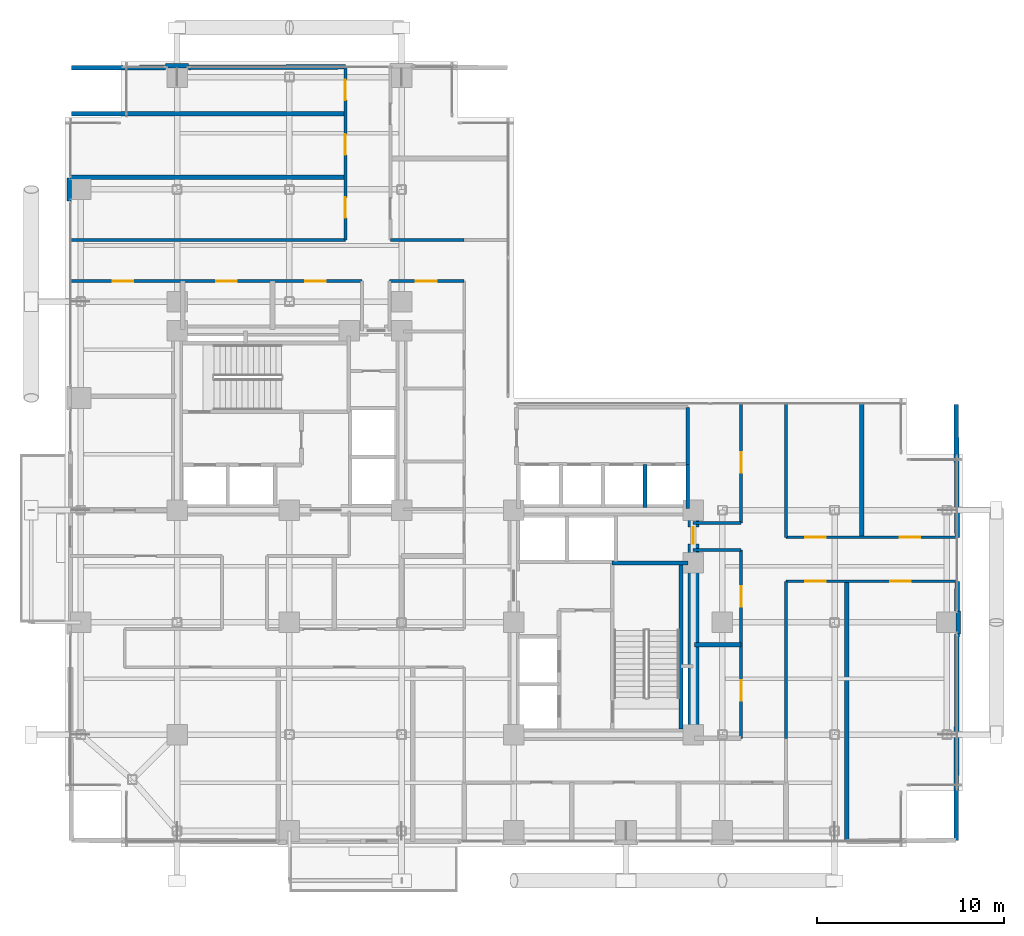
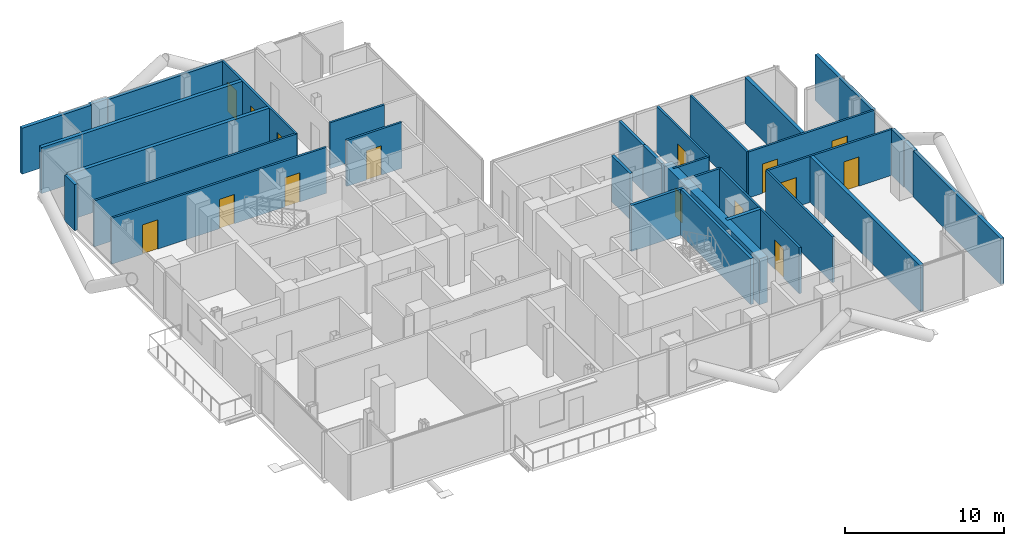
# One storey, part 21 of 24: 32 walls, 15 doors, 15 openings.
"""IFC4 building model written with IfcOpenShell, lengths in metres."""

from ifc_helpers import new_model, si_unit, direction, frame, frame_2d, origin, place, context, subcontext, project, spatial, rectangle, extrude, material, layer, layer_set, type_object, element, fill, save


model = new_model("IFC4")

# Units and contexts
model_context = context("Model", 3, precision=1e-05, world=origin(), true_north=direction((0.0, 1.0)))
body_context = subcontext(model_context, "Body", "Model", "MODEL_VIEW")
ifc_project = project(units=[si_unit("LENGTHUNIT", "METRE"), si_unit("AREAUNIT", "SQUARE_METRE"), si_unit("VOLUMEUNIT", "CUBIC_METRE"), si_unit("PLANEANGLEUNIT", "RADIAN"), si_unit("MASSUNIT", "GRAM", prefix="KILO"), si_unit("THERMODYNAMICTEMPERATUREUNIT", "KELVIN"), si_unit("POWERUNIT", "WATT")], contexts=[model_context])

# Site, building, storey
site_placement = place(None, origin())
site = spatial("IfcSite", under=ifc_project, at=site_placement, CompositionType="ELEMENT")
building_placement = place(site_placement, origin())
building = spatial("IfcBuilding", under=site, at=building_placement, Name="Svarakhadi Broadcast Tower", CompositionType="ELEMENT")
storey_placement = place(building_placement, frame((0.0, 0.0, 126.89990234375)))
storey = spatial("IfcBuildingStorey", under=building, at=storey_placement, Name="L30", CompositionType="ELEMENT", Elevation=126.89990234375)

# Walls
ifc_material_1 = material(Name="Double-Stud Acoustic Studio Partition STC-62", Category="gypsum")
ifc_layer_1 = layer(ifc_material_1, 0.25)
ifc_layer_set_1 = layer_set([ifc_layer_1], Name="Double-Stud Acoustic Studio Partition STC-62")
wall_type_1 = type_object("IfcWallType", Name="Wall_Acoust_250", PredefinedType="PARTITIONING", material=ifc_layer_set_1)
wall_1_placement = place(storey_placement, frame((33.64990234375, 10.800048828125, 0.0), z_axis=(0.0, 0.0, 1.0), x_axis=(1.0, 0.0, 0.0)))
element("IfcWall", 1, at=wall_1_placement, inside=storey, type_object=wall_type_1, Name="L30 Media Playout Monitoring Office Wall", PredefinedType="PARTITIONING", context=body_context, shape_type="SweptSolid", body=[
    extrude(rectangle(XDim=2.5, YDim=0.25, at=frame_2d((1.25, 0.0))), origin(), (0.0, 0.0, 1.0), 3.525146484375),
])
wall_2_placement = place(storey_placement, frame((41.800048828125, 0.300048828125, 0.0), z_axis=(0.0, 0.0, 1.0), x_axis=(0.0, 1.0, 0.0)))
element("IfcWall", 2, at=wall_2_placement, inside=storey, type_object=wall_type_1, Name="L30 Press Junket Interview Room Wall", PredefinedType="PARTITIONING", context=body_context, shape_type="SweptSolid", body=[
    extrude(rectangle(XDim=13.89990234375, YDim=0.25, at=frame_2d((6.949951171875, 0.0))), origin(), (0.0, 0.0, 1.0), 3.525146484375),
])
wall_3_placement = place(storey_placement, frame((47.64990234375, 0.35009765625, 0.0), z_axis=(0.0, 0.0, 1.0), x_axis=(0.003606251025, 0.999993497456, 0.0)))
element("IfcWall", 3, at=wall_3_placement, inside=storey, type_object=wall_type_1, Name="L30 Publicity Lounge Wall", PredefinedType="PARTITIONING", context=body_context, shape_type="SweptSolid", body=[
    extrude(rectangle(XDim=11.034912109375, YDim=0.25, at=frame_2d((5.517578125, 0.0))), origin(), (0.0, 0.0, 1.0), 3.525146484375),
])
wall_4_placement = place(storey_placement, frame((47.6943359375, 12.614990234375, 0.0), z_axis=(0.0, 0.0, 1.0), x_axis=(0.003542799701, 0.999993724265, 0.0)))
element("IfcWall", 4, at=wall_4_placement, inside=storey, type_object=wall_type_1, Name="L30 Publicity Lounge Wall", PredefinedType="PARTITIONING", context=body_context, shape_type="SweptSolid", body=[
    extrude(rectangle(XDim=1.5849609375, YDim=0.25, at=frame_2d((0.79248046875, 0.0))), origin(), (0.0, 0.0, 1.0), 3.525146484375),
])
wall_5_placement = place(storey_placement, frame((42.60009765625, 16.550048828125, 0.0), z_axis=(0.0, 0.0, 1.0), x_axis=(0.0, 1.0, 0.0)))
element("IfcWall", 5, at=wall_5_placement, inside=storey, type_object=wall_type_1, Name="L30 Broadcast Graphics Room Wall", PredefinedType="PARTITIONING", context=body_context, shape_type="SweptSolid", body=[
    extrude(rectangle(XDim=7.14990234375, YDim=0.25, at=frame_2d((3.574951171875, 0.0))), origin(), (0.0, 0.0, 1.0), 3.525146484375),
])
wall_6_placement = place(storey_placement, frame((47.699951171875, 16.550048828125, 0.0), z_axis=(0.0, 0.0, 1.0), x_axis=(-0.007049101019, 0.999975154779, 0.0)))
element("IfcWall", 6, at=wall_6_placement, inside=storey, type_object=wall_type_1, Name="L30 Graphics Workstation Office Wall", PredefinedType="PARTITIONING", context=body_context, shape_type="SweptSolid", body=[
    extrude(rectangle(XDim=7.10009765625, YDim=0.25, at=frame_2d((3.550048828125, 0.0))), origin(), (0.0, 0.0, 1.0), 3.525146484375),
])
wall_7_placement = place(storey_placement, frame((0.300048828125, 35.800048828125, 0.0), z_axis=(0.0, 0.0, 1.0), x_axis=(1.0, 0.0, 0.0)))
element("IfcWall", 7, at=wall_7_placement, inside=storey, type_object=wall_type_1, Name="L30 Distribution Deal Boardroom Wall", PredefinedType="PARTITIONING", context=body_context, shape_type="SweptSolid", body=[
    extrude(rectangle(XDim=14.699951171875, YDim=0.25, at=frame_2d((7.35009765625, 0.0))), origin(), (0.0, 0.0, 1.0), 3.525146484375),
])
wall_8_placement = place(storey_placement, frame((0.35009765625, 39.199951171875, 0.0), z_axis=(0.0, 0.0, 1.0), x_axis=(1.0, 0.0, 0.0)))
element("IfcWall", 8, at=wall_8_placement, inside=storey, type_object=wall_type_1, Name="L30 Festival Selection Room Wall", PredefinedType="PARTITIONING", context=body_context, shape_type="SweptSolid", body=[
    extrude(rectangle(XDim=14.64990234375, YDim=0.25, at=frame_2d((7.324951171875, 0.0))), origin(), (0.0, 0.0, 1.0), 3.525146484375),
])
wall_9_placement = place(storey_placement, frame((0.35009765625, 41.64990234375, 0.0), z_axis=(0.0, 0.0, 1.0), x_axis=(0.999994073761, 0.003442737683, 0.0)))
element("IfcWall", 9, at=wall_9_placement, inside=storey, type_object=wall_type_1, Name="L30 Publicist Office Wall", PredefinedType="PARTITIONING", context=body_context, shape_type="SweptSolid", body=[
    extrude(rectangle(XDim=5.034912109375, YDim=0.25, at=frame_2d((2.517578125, 0.0))), origin(), (0.0, 0.0, 1.0), 3.525146484375),
])
wall_10_placement = place(storey_placement, frame((6.614990234375, 41.67138671875, 0.0), z_axis=(0.0, 0.0, 1.0), x_axis=(0.999994197557, 0.003406589638, 0.0)))
element("IfcWall", 10, at=wall_10_placement, inside=storey, type_object=wall_type_1, Name="L30 Publicist Office Wall", PredefinedType="PARTITIONING", context=body_context, shape_type="SweptSolid", body=[
    extrude(rectangle(XDim=8.385009765625, YDim=0.25, at=frame_2d((4.1923828125, 0.0))), origin(), (0.0, 0.0, 1.0), 3.525146484375),
])
ifc_material_2 = material(Name="Concrete C40/50 (IS 456 M50)", Category="concrete")
ifc_layer_2 = layer(ifc_material_2, 0.239990234375)
ifc_layer_set_2 = layer_set([ifc_layer_2], Name="Concrete C40/50 (IS 456 M50)")
wall_type_2 = type_object("IfcWallType", Name="Wall_Ext_240", PredefinedType="SOLIDWALL", material=ifc_layer_set_2)
for number, where, z_axis, x_axis, name in (
    (11, (0.239990234375, 34.534912109375, 0.0), (0.0, 0.0, 1.0), (0.0, 1.0, 0.0), "L30 Perimeter Bronze Spandrel Closure Wall 03"),
    (12, (5.385009765625, 41.760009765625, 0.0), (0.0, 0.0, 1.0), (1.0, 0.0, 0.0), "L30 Perimeter Bronze Spandrel Closure Wall 04"),
    (13, (47.760009765625, 12.614990234375, 0.0), (0.0, 0.0, 1.0), (0.0, -1.0, 0.0), "L30 Perimeter Bronze Spandrel Closure Wall 06"),
):
    element("IfcWall", number, at=place(storey_placement, frame(where, z_axis=z_axis, x_axis=x_axis)), inside=storey, type_object=wall_type_2, Name=name, PredefinedType="SOLIDWALL", context=body_context, shape_type="SweptSolid", body=[
        extrude(rectangle(XDim=1.22998046875, YDim=0.239990234375, at=frame_2d((0.614990234375, 0.0))), origin(), (0.0, 0.0, 1.0), 3.525146484375),
    ])

# Wall, openings, doors
ifc_material_3 = material(Name="Autoclaved Aerated Concrete Blockwork 150 mm", Category="masonry")
ifc_layer_3 = layer(ifc_material_3, 0.14990234375)
ifc_layer_set_3 = layer_set([ifc_layer_3], Name="Autoclaved Aerated Concrete Blockwork 150 mm")
wall_type_3 = type_object("IfcWallType", Name="Wall_Part_150", PredefinedType="PARTITIONING", material=ifc_layer_set_3)
wall_11_placement = place(storey_placement, frame((36.14990234375, 5.800048828125, 0.0), z_axis=(0.0, 0.0, 1.0), x_axis=(0.0, 1.0, 0.0)))
wall_11 = element("IfcWall", 14, at=wall_11_placement, inside=storey, type_object=wall_type_3, Name="L30 Zone 2/3 Corridor Wall", PredefinedType="PARTITIONING", context=body_context, shape_type="SweptSolid", body=[
    extrude(rectangle(XDim=10.079833984375, YDim=0.14990234375, at=frame_2d((5.0400390625, 0.0))), origin(), (0.0, 0.0, 1.0), 3.525146484375),
])
opening_1_placement = place(wall_11_placement, frame((2.0, 0.0, 0.0)))
opening_1 = element("IfcOpeningElement", 15, at=opening_1_placement, cuts=wall_11, Name="Opening D-11", PredefinedType="OPENING", context=body_context, shape_type="SweptSolid", body=[
    extrude(rectangle(XDim=1.10009765625, YDim=2.25, at=frame_2d((0.550048828125, 1.125))), frame((0.0, 0.0849609375, 0.0), z_axis=(0.0, -1.0, 0.0), x_axis=(1.0, 0.0, 0.0)), (0.0, 0.0, 1.0), 0.169921875),
])
opening_2_placement = place(wall_11_placement, frame((7.0400390625, 0.0, 0.0)))
opening_2 = element("IfcOpeningElement", 16, at=opening_2_placement, cuts=wall_11, Name="Opening D-11", PredefinedType="OPENING", context=body_context, shape_type="SweptSolid", body=[
    extrude(rectangle(XDim=1.10009765625, YDim=2.25, at=frame_2d((0.550048828125, 1.125))), frame((0.0, 0.0849609375, 0.0), z_axis=(0.0, -1.0, 0.0), x_axis=(1.0, 0.0, 0.0)), (0.0, 0.0, 1.0), 0.169921875),
])
ifc_material_4 = material(Name="Solid-Core Teak Veneer Acoustic Timber Leaf", Category="wood")
door_type_1 = type_object("IfcDoorType", Name="Door_Acoust_D11", OperationType="SINGLE_SWING_RIGHT", PredefinedType="DOOR", material=ifc_material_4)
door_1_placement = place(opening_1_placement, origin())
door_1 = element("IfcDoor", 17, at=door_1_placement, inside=storey, type_object=door_type_1, Name="L30 Media Playout Monitoring Office Door", OperationType="SINGLE_SWING_RIGHT", OverallHeight=2.25, OverallWidth=1.10009765625, PredefinedType="DOOR", context=body_context, shape_type="SweptSolid", body=[
    extrude(rectangle(XDim=1.10009765625, YDim=2.25, at=frame_2d((0.550048828125, 1.125))), frame((0.0, 0.02490234375, 0.0), z_axis=(0.0, -1.0, 0.0), x_axis=(1.0, 0.0, 0.0)), (0.0, 0.0, 1.0), 0.050048828125),
])
fill(opening_1, door_1)
door_2_placement = place(opening_2_placement, origin())
door_2 = element("IfcDoor", 18, at=door_2_placement, inside=storey, type_object=door_type_1, Name="L30 Broadcast Ingest Studio Door", OperationType="SINGLE_SWING_RIGHT", OverallHeight=2.25, OverallWidth=1.10009765625, PredefinedType="DOOR", context=body_context, shape_type="SweptSolid", body=[
    extrude(rectangle(XDim=1.10009765625, YDim=2.25, at=frame_2d((0.550048828125, 1.125))), frame((0.0, 0.02490234375, 0.0), z_axis=(0.0, -1.0, 0.0), x_axis=(1.0, 0.0, 0.0)), (0.0, 0.0, 1.0), 0.050048828125),
])
fill(opening_2, door_2)

# Walls
for number, where, z_axis, x_axis, name in (
    (19, (36.14990234375, 15.8798828125, 0.0), (0.0, 0.0, 1.0), (-1.0, 0.0, 0.0), "L30 Zone 2/3 Corridor Wall"),
    (20, (33.580078125, 17.320068359375, 0.0), (0.0, 0.0, 1.0), (1.0, 0.0, 0.0), "L30 Zone 2/3 Corridor Wall"),
):
    element("IfcWall", number, at=place(storey_placement, frame(where, z_axis=z_axis, x_axis=x_axis)), inside=storey, type_object=wall_type_3, Name=name, PredefinedType="PARTITIONING", context=body_context, shape_type="SweptSolid", body=[
        extrude(rectangle(XDim=2.56982421875, YDim=0.14990234375, at=frame_2d((1.284912109375, 0.0))), origin(), (0.0, 0.0, 1.0), 3.525146484375),
    ])

# Wall, opening, door
wall_12_placement = place(storey_placement, frame((36.14990234375, 17.320068359375, 0.0), z_axis=(0.0, 0.0, 1.0), x_axis=(0.0, 1.0, 0.0)))
wall_12 = element("IfcWall", 21, at=wall_12_placement, inside=storey, type_object=wall_type_3, Name="L30 Zone 2/3 Corridor Wall", PredefinedType="PARTITIONING", context=body_context, shape_type="SweptSolid", body=[
    extrude(rectangle(XDim=6.3798828125, YDim=0.14990234375, at=frame_2d((3.18994140625, 0.0))), origin(), (0.0, 0.0, 1.0), 3.525146484375),
])
opening_3_placement = place(wall_12_placement, frame((2.679931640625, 0.0, 0.0)))
opening_3 = element("IfcOpeningElement", 22, at=opening_3_placement, cuts=wall_12, Name="Opening D-11", PredefinedType="OPENING", context=body_context, shape_type="SweptSolid", body=[
    extrude(rectangle(XDim=1.10009765625, YDim=2.25, at=frame_2d((0.550048828125, 1.125))), frame((0.0, 0.0849609375, 0.0), z_axis=(0.0, -1.0, 0.0), x_axis=(1.0, 0.0, 0.0)), (0.0, 0.0, 1.0), 0.169921875),
])
door_3_placement = place(opening_3_placement, origin())
door_3 = element("IfcDoor", 23, at=door_3_placement, inside=storey, type_object=door_type_1, Name="L30 Post-Production Coordination Office Door", OperationType="SINGLE_SWING_RIGHT", OverallHeight=2.25, OverallWidth=1.10009765625, PredefinedType="DOOR", context=body_context, shape_type="SweptSolid", body=[
    extrude(rectangle(XDim=1.10009765625, YDim=2.25, at=frame_2d((0.550048828125, 1.125))), frame((0.0, 0.02490234375, 0.0), z_axis=(0.0, -1.0, 0.0), x_axis=(1.0, 0.0, 0.0)), (0.0, 0.0, 1.0), 0.050048828125),
])
fill(opening_3, door_3)

# Wall
wall_13_placement = place(storey_placement, frame((38.550048828125, 23.699951171875, 0.0), z_axis=(0.0, 0.0, 1.0), x_axis=(0.0, -1.0, 0.0)))
element("IfcWall", 24, at=wall_13_placement, inside=storey, type_object=wall_type_3, Name="L30 Zone 2/3 Corridor Wall", PredefinedType="PARTITIONING", context=body_context, shape_type="SweptSolid", body=[
    extrude(rectangle(XDim=7.14990234375, YDim=0.14990234375, at=frame_2d((3.574951171875, 0.0))), origin(), (0.0, 0.0, 1.0), 3.525146484375),
])

# Wall, openings, doors
wall_14_placement = place(storey_placement, frame((38.550048828125, 16.550048828125, 0.0), z_axis=(0.0, 0.0, 1.0), x_axis=(1.0, 0.0, 0.0)))
wall_14 = element("IfcWall", 25, at=wall_14_placement, inside=storey, type_object=wall_type_3, Name="L30 Zone 2/3 Corridor Wall", PredefinedType="PARTITIONING", context=body_context, shape_type="SweptSolid", body=[
    extrude(rectangle(XDim=9.14990234375, YDim=0.14990234375, at=frame_2d((4.574951171875, 0.0))), origin(), (0.0, 0.0, 1.0), 3.525146484375),
])
opening_4_placement = place(wall_14_placement, frame((1.030029296875, 0.0, 0.0)))
opening_4 = element("IfcOpeningElement", 26, at=opening_4_placement, cuts=wall_14, Name="Opening D-10", PredefinedType="OPENING", context=body_context, shape_type="SweptSolid", body=[
    extrude(rectangle(XDim=1.10009765625, YDim=2.25, at=frame_2d((0.550048828125, 1.125))), frame((0.0, 0.0849609375, 0.0), z_axis=(0.0, -1.0, 0.0), x_axis=(1.0, 0.0, 0.0)), (0.0, 0.0, 1.0), 0.169921875),
])
opening_5_placement = place(wall_14_placement, frame((6.074951171875, 0.0, 0.0)))
opening_5 = element("IfcOpeningElement", 27, at=opening_5_placement, cuts=wall_14, Name="Opening D-11", PredefinedType="OPENING", context=body_context, shape_type="SweptSolid", body=[
    extrude(rectangle(XDim=1.10009765625, YDim=2.25, at=frame_2d((0.550048828125, 1.125))), frame((0.0, 0.0849609375, 0.0), z_axis=(0.0, -1.0, 0.0), x_axis=(1.0, 0.0, 0.0)), (0.0, 0.0, 1.0), 0.169921875),
])
door_type_2 = type_object("IfcDoorType", Name="Door_Acoust_D10", OperationType="SINGLE_SWING_LEFT", PredefinedType="DOOR", material=ifc_material_4)
door_4_placement = place(opening_4_placement, origin())
door_4 = element("IfcDoor", 28, at=door_4_placement, inside=storey, type_object=door_type_2, Name="L30 Broadcast Graphics Room Door", OperationType="SINGLE_SWING_LEFT", OverallHeight=2.25, OverallWidth=1.10009765625, PredefinedType="DOOR", context=body_context, shape_type="SweptSolid", body=[
    extrude(rectangle(XDim=1.10009765625, YDim=2.25, at=frame_2d((0.550048828125, 1.125))), frame((0.0, 0.02490234375, 0.0), z_axis=(0.0, -1.0, 0.0), x_axis=(1.0, 0.0, 0.0)), (0.0, 0.0, 1.0), 0.050048828125),
])
fill(opening_4, door_4)
door_5_placement = place(opening_5_placement, origin())
door_5 = element("IfcDoor", 29, at=door_5_placement, inside=storey, type_object=door_type_1, Name="L30 Graphics Workstation Office Door", OperationType="SINGLE_SWING_RIGHT", OverallHeight=2.25, OverallWidth=1.10009765625, PredefinedType="DOOR", context=body_context, shape_type="SweptSolid", body=[
    extrude(rectangle(XDim=1.10009765625, YDim=2.25, at=frame_2d((0.550048828125, 1.125))), frame((0.0, 0.02490234375, 0.0), z_axis=(0.0, -1.0, 0.0), x_axis=(1.0, 0.0, 0.0)), (0.0, 0.0, 1.0), 0.050048828125),
])
fill(opening_5, door_5)

wall_15_placement = place(storey_placement, frame((47.699951171875, 14.199951171875, 0.0), z_axis=(0.0, 0.0, 1.0), x_axis=(-1.0, 0.0, 0.0)))
wall_15 = element("IfcWall", 30, at=wall_15_placement, inside=storey, type_object=wall_type_3, Name="L30 Zone 2/3 Corridor Wall", PredefinedType="PARTITIONING", context=body_context, shape_type="SweptSolid", body=[
    extrude(rectangle(XDim=9.14990234375, YDim=0.14990234375, at=frame_2d((4.574951171875, 0.0))), origin(), (0.0, 0.0, 1.0), 3.525146484375),
])
opening_6_placement = place(wall_15_placement, frame((7.02490234375, 0.0, 0.0)))
opening_6 = element("IfcOpeningElement", 31, at=opening_6_placement, cuts=wall_15, Name="Opening D-10", PredefinedType="OPENING", context=body_context, shape_type="SweptSolid", body=[
    extrude(rectangle(XDim=1.10009765625, YDim=2.25, at=frame_2d((0.550048828125, 1.125))), frame((0.0, 0.0849609375, 0.0), z_axis=(0.0, -1.0, 0.0), x_axis=(1.0, 0.0, 0.0)), (0.0, 0.0, 1.0), 0.169921875),
])
opening_7_placement = place(wall_15_placement, frame((2.47509765625, 0.0, 0.0)))
opening_7 = element("IfcOpeningElement", 32, at=opening_7_placement, cuts=wall_15, Name="Opening D-11", PredefinedType="OPENING", context=body_context, shape_type="SweptSolid", body=[
    extrude(rectangle(XDim=1.10009765625, YDim=2.25, at=frame_2d((0.550048828125, 1.125))), frame((0.0, 0.0849609375, 0.0), z_axis=(0.0, -1.0, 0.0), x_axis=(1.0, 0.0, 0.0)), (0.0, 0.0, 1.0), 0.169921875),
])
door_6_placement = place(opening_6_placement, origin())
door_6 = element("IfcDoor", 33, at=door_6_placement, inside=storey, type_object=door_type_2, Name="L30 Press Junket Interview Room Door", OperationType="SINGLE_SWING_LEFT", OverallHeight=2.25, OverallWidth=1.10009765625, PredefinedType="DOOR", context=body_context, shape_type="SweptSolid", body=[
    extrude(rectangle(XDim=1.10009765625, YDim=2.25, at=frame_2d((0.550048828125, 1.125))), frame((0.0, 0.02490234375, 0.0), z_axis=(0.0, -1.0, 0.0), x_axis=(1.0, 0.0, 0.0)), (0.0, 0.0, 1.0), 0.050048828125),
])
fill(opening_6, door_6)
door_7_placement = place(opening_7_placement, origin())
door_7 = element("IfcDoor", 34, at=door_7_placement, inside=storey, type_object=door_type_1, Name="L30 Publicity Lounge Door", OperationType="SINGLE_SWING_RIGHT", OverallHeight=2.25, OverallWidth=1.10009765625, PredefinedType="DOOR", context=body_context, shape_type="SweptSolid", body=[
    extrude(rectangle(XDim=1.10009765625, YDim=2.25, at=frame_2d((0.550048828125, 1.125))), frame((0.0, 0.02490234375, 0.0), z_axis=(0.0, -1.0, 0.0), x_axis=(1.0, 0.0, 0.0)), (0.0, 0.0, 1.0), 0.050048828125),
])
fill(opening_7, door_7)

# Wall
wall_16_placement = place(storey_placement, frame((38.550048828125, 14.199951171875, 0.0), z_axis=(0.0, 0.0, 1.0), x_axis=(0.0, -1.0, 0.0)))
element("IfcWall", 35, at=wall_16_placement, inside=storey, type_object=wall_type_3, Name="L30 Zone 2/3 Corridor Wall", PredefinedType="PARTITIONING", context=body_context, shape_type="SweptSolid", body=[
    extrude(rectangle(XDim=8.39990234375, YDim=0.14990234375, at=frame_2d((4.199951171875, 0.0))), origin(), (0.0, 0.0, 1.0), 3.525146484375),
])

# Wall, opening, door
wall_17_placement = place(storey_placement, frame((21.35009765625, 30.25, 0.0), z_axis=(0.0, 0.0, 1.0), x_axis=(-1.0, 0.0, 0.0)))
wall_17 = element("IfcWall", 36, at=wall_17_placement, inside=storey, type_object=wall_type_3, Name="L30 Zone 2/3 Corridor Wall", PredefinedType="PARTITIONING", context=body_context, shape_type="SweptSolid", body=[
    extrude(rectangle(XDim=4.0, YDim=0.14990234375, at=frame_2d((2.0, 0.0))), origin(), (0.0, 0.0, 1.0), 3.525146484375),
])
opening_8_placement = place(wall_17_placement, frame((1.47998046875, 0.0, 0.0)))
opening_8 = element("IfcOpeningElement", 37, at=opening_8_placement, cuts=wall_17, Name="Opening D-10", PredefinedType="OPENING", context=body_context, shape_type="SweptSolid", body=[
    extrude(rectangle(XDim=1.10009765625, YDim=2.25, at=frame_2d((0.550048828125, 1.125))), frame((0.0, 0.0849609375, 0.0), z_axis=(0.0, -1.0, 0.0), x_axis=(1.0, 0.0, 0.0)), (0.0, 0.0, 1.0), 0.169921875),
])
door_8_placement = place(opening_8_placement, origin())
door_8 = element("IfcDoor", 38, at=door_8_placement, inside=storey, type_object=door_type_2, Name="L30 Media Continuity Study Door", OperationType="SINGLE_SWING_LEFT", OverallHeight=2.25, OverallWidth=1.10009765625, PredefinedType="DOOR", context=body_context, shape_type="SweptSolid", body=[
    extrude(rectangle(XDim=1.10009765625, YDim=2.25, at=frame_2d((0.550048828125, 1.125))), frame((0.0, 0.02490234375, 0.0), z_axis=(0.0, -1.0, 0.0), x_axis=(1.0, 0.0, 0.0)), (0.0, 0.0, 1.0), 0.050048828125),
])
fill(opening_8, door_8)

# Wall, openings, doors
wall_18_placement = place(storey_placement, frame((15.8798828125, 30.25, 0.0), z_axis=(0.0, 0.0, 1.0), x_axis=(-1.0, 0.0, 0.0)))
wall_18 = element("IfcWall", 39, at=wall_18_placement, inside=storey, type_object=wall_type_3, Name="L30 Zone 2/3 Corridor Wall", PredefinedType="PARTITIONING", context=body_context, shape_type="SweptSolid", body=[
    extrude(rectangle(XDim=15.579833984375, YDim=0.14990234375, at=frame_2d((7.7900390625, 0.0))), origin(), (0.0, 0.0, 1.0), 3.525146484375),
])
opening_9_placement = place(wall_18_placement, frame((12.22998046875, 0.0, 0.0)))
opening_9 = element("IfcOpeningElement", 40, at=opening_9_placement, cuts=wall_18, Name="Opening D-11", PredefinedType="OPENING", context=body_context, shape_type="SweptSolid", body=[
    extrude(rectangle(XDim=1.10009765625, YDim=2.25, at=frame_2d((0.550048828125, 1.125))), frame((0.0, 0.0849609375, 0.0), z_axis=(0.0, -1.0, 0.0), x_axis=(1.0, 0.0, 0.0)), (0.0, 0.0, 1.0), 0.169921875),
])
opening_10_placement = place(wall_18_placement, frame((6.679931640625, 0.0, 0.0)))
opening_10 = element("IfcOpeningElement", 41, at=opening_10_placement, cuts=wall_18, Name="Opening D-10", PredefinedType="OPENING", context=body_context, shape_type="SweptSolid", body=[
    extrude(rectangle(XDim=1.10009765625, YDim=2.25, at=frame_2d((0.550048828125, 1.125))), frame((0.0, 0.0849609375, 0.0), z_axis=(0.0, -1.0, 0.0), x_axis=(1.0, 0.0, 0.0)), (0.0, 0.0, 1.0), 0.169921875),
])
opening_11_placement = place(wall_18_placement, frame((1.929931640625, 0.0, 0.0)))
opening_11 = element("IfcOpeningElement", 42, at=opening_11_placement, cuts=wall_18, Name="Opening D-10", PredefinedType="OPENING", context=body_context, shape_type="SweptSolid", body=[
    extrude(rectangle(XDim=1.10009765625, YDim=2.25, at=frame_2d((0.550048828125, 1.125))), frame((0.0, 0.0849609375, 0.0), z_axis=(0.0, -1.0, 0.0), x_axis=(1.0, 0.0, 0.0)), (0.0, 0.0, 1.0), 0.169921875),
])
door_9_placement = place(opening_10_placement, origin())
door_9 = element("IfcDoor", 43, at=door_9_placement, inside=storey, type_object=door_type_2, Name="L30 Acoustic Dubbing Booth Door", OperationType="SINGLE_SWING_LEFT", OverallHeight=2.25, OverallWidth=1.10009765625, PredefinedType="DOOR", context=body_context, shape_type="SweptSolid", body=[
    extrude(rectangle(XDim=1.10009765625, YDim=2.25, at=frame_2d((0.550048828125, 1.125))), frame((0.0, 0.02490234375, 0.0), z_axis=(0.0, -1.0, 0.0), x_axis=(1.0, 0.0, 0.0)), (0.0, 0.0, 1.0), 0.050048828125),
])
fill(opening_10, door_9)
door_10_placement = place(opening_11_placement, origin())
door_10 = element("IfcDoor", 44, at=door_10_placement, inside=storey, type_object=door_type_2, Name="L30 Editorial Color Grading Pod Door", OperationType="SINGLE_SWING_LEFT", OverallHeight=2.25, OverallWidth=1.10009765625, PredefinedType="DOOR", context=body_context, shape_type="SweptSolid", body=[
    extrude(rectangle(XDim=1.10009765625, YDim=2.25, at=frame_2d((0.550048828125, 1.125))), frame((0.0, 0.02490234375, 0.0), z_axis=(0.0, -1.0, 0.0), x_axis=(1.0, 0.0, 0.0)), (0.0, 0.0, 1.0), 0.050048828125),
])
fill(opening_11, door_10)
door_11_placement = place(opening_9_placement, origin())
door_11 = element("IfcDoor", 45, at=door_11_placement, inside=storey, type_object=door_type_1, Name="L30 Sunset Horizon Screening Room Door", OperationType="SINGLE_SWING_RIGHT", OverallHeight=2.25, OverallWidth=1.10009765625, PredefinedType="DOOR", context=body_context, shape_type="SweptSolid", body=[
    extrude(rectangle(XDim=1.10009765625, YDim=2.25, at=frame_2d((0.550048828125, 1.125))), frame((0.0, 0.02490234375, 0.0), z_axis=(0.0, -1.0, 0.0), x_axis=(1.0, 0.0, 0.0)), (0.0, 0.0, 1.0), 0.050048828125),
])
fill(opening_9, door_11)

# Wall
wall_19_placement = place(storey_placement, frame((0.300048828125, 32.449951171875, 0.0), z_axis=(0.0, 0.0, 1.0), x_axis=(1.0, 0.0, 0.0)))
element("IfcWall", 46, at=wall_19_placement, inside=storey, type_object=wall_type_3, Name="L30 Zone 2/3 Corridor Wall", PredefinedType="PARTITIONING", context=body_context, shape_type="SweptSolid", body=[
    extrude(rectangle(XDim=14.699951171875, YDim=0.14990234375, at=frame_2d((7.35009765625, 0.0))), origin(), (0.0, 0.0, 1.0), 3.525146484375),
])

# Wall, openings, doors
wall_20_placement = place(storey_placement, frame((15.0, 32.449951171875, 0.0), z_axis=(0.0, 0.0, 1.0), x_axis=(0.0, 1.0, 0.0)))
wall_20 = element("IfcWall", 47, at=wall_20_placement, inside=storey, type_object=wall_type_3, Name="L30 Zone 2/3 Corridor Wall", PredefinedType="PARTITIONING", context=body_context, shape_type="SweptSolid", body=[
    extrude(rectangle(XDim=9.25, YDim=0.14990234375, at=frame_2d((4.625, 0.0))), origin(), (0.0, 0.0, 1.0), 3.525146484375),
])
opening_12_placement = place(wall_20_placement, frame((1.175048828125, 0.0, 0.0)))
opening_12 = element("IfcOpeningElement", 48, at=opening_12_placement, cuts=wall_20, Name="Opening D-10", PredefinedType="OPENING", context=body_context, shape_type="SweptSolid", body=[
    extrude(rectangle(XDim=1.10009765625, YDim=2.25, at=frame_2d((0.550048828125, 1.125))), frame((0.0, 0.0849609375, 0.0), z_axis=(0.0, -1.0, 0.0), x_axis=(1.0, 0.0, 0.0)), (0.0, 0.0, 1.0), 0.169921875),
])
opening_13_placement = place(wall_20_placement, frame((4.550048828125, 0.0, 0.0)))
opening_13 = element("IfcOpeningElement", 49, at=opening_13_placement, cuts=wall_20, Name="Opening D-11", PredefinedType="OPENING", context=body_context, shape_type="SweptSolid", body=[
    extrude(rectangle(XDim=1.10009765625, YDim=2.25, at=frame_2d((0.550048828125, 1.125))), frame((0.0, 0.0849609375, 0.0), z_axis=(0.0, -1.0, 0.0), x_axis=(1.0, 0.0, 0.0)), (0.0, 0.0, 1.0), 0.169921875),
])
opening_14_placement = place(wall_20_placement, frame((7.47509765625, 0.0, 0.0)))
opening_14 = element("IfcOpeningElement", 50, at=opening_14_placement, cuts=wall_20, Name="Opening D-10", PredefinedType="OPENING", context=body_context, shape_type="SweptSolid", body=[
    extrude(rectangle(XDim=1.10009765625, YDim=2.25, at=frame_2d((0.550048828125, 1.125))), frame((0.0, 0.0849609375, 0.0), z_axis=(0.0, -1.0, 0.0), x_axis=(1.0, 0.0, 0.0)), (0.0, 0.0, 1.0), 0.169921875),
])
door_12_placement = place(opening_12_placement, origin())
door_12 = element("IfcDoor", 51, at=door_12_placement, inside=storey, type_object=door_type_2, Name="L30 Distribution Deal Boardroom Door", OperationType="SINGLE_SWING_LEFT", OverallHeight=2.25, OverallWidth=1.10009765625, PredefinedType="DOOR", context=body_context, shape_type="SweptSolid", body=[
    extrude(rectangle(XDim=1.10009765625, YDim=2.25, at=frame_2d((0.550048828125, 1.125))), frame((0.0, 0.02490234375, 0.0), z_axis=(0.0, -1.0, 0.0), x_axis=(1.0, 0.0, 0.0)), (0.0, 0.0, 1.0), 0.050048828125),
])
fill(opening_12, door_12)
door_13_placement = place(opening_14_placement, origin())
door_13 = element("IfcDoor", 52, at=door_13_placement, inside=storey, type_object=door_type_2, Name="L30 Publicist Office Door", OperationType="SINGLE_SWING_LEFT", OverallHeight=2.25, OverallWidth=1.10009765625, PredefinedType="DOOR", context=body_context, shape_type="SweptSolid", body=[
    extrude(rectangle(XDim=1.10009765625, YDim=2.25, at=frame_2d((0.550048828125, 1.125))), frame((0.0, 0.02490234375, 0.0), z_axis=(0.0, -1.0, 0.0), x_axis=(1.0, 0.0, 0.0)), (0.0, 0.0, 1.0), 0.050048828125),
])
fill(opening_14, door_13)
door_14_placement = place(opening_13_placement, origin())
door_14 = element("IfcDoor", 53, at=door_14_placement, inside=storey, type_object=door_type_1, Name="L30 Festival Selection Room Door", OperationType="SINGLE_SWING_RIGHT", OverallHeight=2.25, OverallWidth=1.10009765625, PredefinedType="DOOR", context=body_context, shape_type="SweptSolid", body=[
    extrude(rectangle(XDim=1.10009765625, YDim=2.25, at=frame_2d((0.550048828125, 1.125))), frame((0.0, 0.02490234375, 0.0), z_axis=(0.0, -1.0, 0.0), x_axis=(1.0, 0.0, 0.0)), (0.0, 0.0, 1.0), 0.050048828125),
])
fill(opening_13, door_14)

# Walls
wall_21_placement = place(storey_placement, frame((17.39990234375, 32.449951171875, 0.0), z_axis=(0.0, 0.0, 1.0), x_axis=(1.0, 0.0, 0.0)))
element("IfcWall", 54, at=wall_21_placement, inside=storey, type_object=wall_type_3, Name="L30 Zone 2/3 Corridor Wall", PredefinedType="PARTITIONING", context=body_context, shape_type="SweptSolid", body=[
    extrude(rectangle(XDim=3.9501953125, YDim=0.14990234375, at=frame_2d((1.97509765625, 0.0))), origin(), (0.0, 0.0, 1.0), 3.525146484375),
])
ifc_material_5 = material(Name="Concrete C50/60 (IS 456 M60)", Category="concrete")
ifc_layer_4 = layer(ifc_material_5, 0.199951171875)
ifc_layer_set_4 = layer_set([ifc_layer_4], Name="Concrete C50/60 (IS 456 M60)")
wall_type_4 = type_object("IfcWallType", Name="Wall_Shear_200", PredefinedType="SHEAR", material=ifc_layer_set_4)
wall_22_placement = place(storey_placement, frame((32.93994140625, 6.300048828125, 0.0), z_axis=(0.0, 0.0, 1.0), x_axis=(0.0, 1.0, 0.0)))
element("IfcWall", 55, at=wall_22_placement, inside=storey, type_object=wall_type_4, Name="L30 Stair ST-02 East RC Shaft Wall", PredefinedType="SHEAR", context=body_context, shape_type="SweptSolid", body=[
    extrude(rectangle(XDim=8.8798828125, YDim=0.199951171875, at=frame_2d((4.43994140625, 0.0))), origin(), (0.0, 0.0, 1.0), 3.525146484375),
])
wall_23_placement = place(storey_placement, frame((29.260009765625, 15.179931640625, 0.0), z_axis=(0.0, 0.0, 1.0), x_axis=(1.0, 0.0, 0.0)))
element("IfcWall", 56, at=wall_23_placement, inside=storey, type_object=wall_type_4, Name="L30 Stair ST-02 North RC Shaft Wall", PredefinedType="SHEAR", context=body_context, shape_type="SweptSolid", body=[
    extrude(rectangle(XDim=4.0400390625, YDim=0.199951171875, at=frame_2d((2.02001953125, 0.0))), origin(), (0.0, 0.0, 1.0), 3.525146484375),
])
wall_24_placement = place(storey_placement, frame((33.300048828125, 18.10009765625, 0.0), z_axis=(0.0, 0.0, 1.0), x_axis=(0.0, 1.0, 0.0)))
element("IfcWall", 57, at=wall_24_placement, inside=storey, type_object=wall_type_4, Name="L30 Bank B East Shaft Wall", PredefinedType="SHEAR", context=body_context, shape_type="SweptSolid", body=[
    extrude(rectangle(XDim=2.349853515625, YDim=0.199951171875, at=frame_2d((1.1748046875, 0.0))), origin(), (0.0, 0.0, 1.0), 3.525146484375),
])
wall_25_placement = place(storey_placement, frame((31.02001953125, 18.14990234375, 0.0), z_axis=(0.0, 0.0, 1.0), x_axis=(0.0, 1.0, 0.0)))
element("IfcWall", 58, at=wall_25_placement, inside=storey, type_object=wall_type_4, Name="L30 Bank B Divider", PredefinedType="SHEAR", context=body_context, shape_type="SweptSolid", body=[
    extrude(rectangle(XDim=2.300048828125, YDim=0.199951171875, at=frame_2d((1.14990234375, 0.0))), origin(), (0.0, 0.0, 1.0), 3.525146484375),
])
wall_26_placement = place(storey_placement, frame((33.300048828125, 20.449951171875, 0.0), z_axis=(0.0, 0.0, 1.0), x_axis=(0.0, 1.0, 0.0)))
element("IfcWall", 59, at=wall_26_placement, inside=storey, type_object=wall_type_4, Name="L30 Bank B Lift Hall East Wall", PredefinedType="SHEAR", context=body_context, shape_type="SweptSolid", body=[
    extrude(rectangle(XDim=3.050048828125, YDim=0.199951171875, at=frame_2d((1.52490234375, 0.0))), origin(), (0.0, 0.0, 1.0), 3.525146484375),
])

# Wall, opening, door
ifc_material_6 = material(Name="Concrete C60/75 (IS 456 M70)", Category="concrete")
ifc_layer_5 = layer(ifc_material_6, 0.60009765625)
ifc_layer_set_5 = layer_set([ifc_layer_5], Name="Concrete C60/75 (IS 456 M70)")
wall_type_5 = type_object("IfcWallType", Name="Wall_Shear_600", PredefinedType="SHEAR", material=ifc_layer_set_5)
wall_27_placement = place(storey_placement, frame((33.60009765625, 6.0, 0.0), z_axis=(0.0, 0.0, 1.0), x_axis=(0.0, 1.0, 0.0)))
wall_27 = element("IfcWall", 60, at=wall_27_placement, inside=storey, type_object=wall_type_5, Name="L30 East Core East Shear Wall", PredefinedType="SHEAR", context=body_context, shape_type="SweptSolid", body=[
    extrude(rectangle(XDim=12.0, YDim=0.60009765625, at=frame_2d((6.0, 0.0))), origin(), (0.0, 0.0, 1.0), 3.525146484375),
])
opening_15_placement = place(wall_27_placement, frame((10.199951171875, 0.0, 0.0)))
opening_15 = element("IfcOpeningElement", 61, at=opening_15_placement, cuts=wall_27, Name="Opening D-03", PredefinedType="OPENING", context=body_context, shape_type="SweptSolid", body=[
    extrude(rectangle(XDim=0.89990234375, YDim=2.14990234375, at=frame_2d((0.449951171875, 1.074951171875))), frame((0.0, 0.31005859375, 0.0), z_axis=(0.0, -1.0, 0.0), x_axis=(1.0, 0.0, 0.0)), (0.0, 0.0, 1.0), 0.6201171875),
])
ifc_material_7 = material(Name="Galvanised Powder-Coated Fire-Rated Steel Leaf", Category="steel")
door_type_3 = type_object("IfcDoorType", Name="Door_Fire_D03", OperationType="SINGLE_SWING_LEFT", PredefinedType="DOOR", material=ifc_material_7)
door_15_placement = place(opening_15_placement, origin())
door_15 = element("IfcDoor", 62, at=door_15_placement, inside=storey, type_object=door_type_3, Name="L30 East Core Service Store Door", OperationType="SINGLE_SWING_LEFT", OverallHeight=2.14990234375, OverallWidth=0.89990234375, PredefinedType="DOOR", context=body_context, shape_type="SweptSolid", body=[
    extrude(rectangle(XDim=0.89990234375, YDim=2.14990234375, at=frame_2d((0.449951171875, 1.074951171875))), frame((0.0, 0.02490234375, 0.0), z_axis=(0.0, -1.0, 0.0), x_axis=(1.0, 0.0, 0.0)), (0.0, 0.0, 1.0), 0.050048828125),
])
fill(opening_15, door_15)

save(model, "model.ifc")
